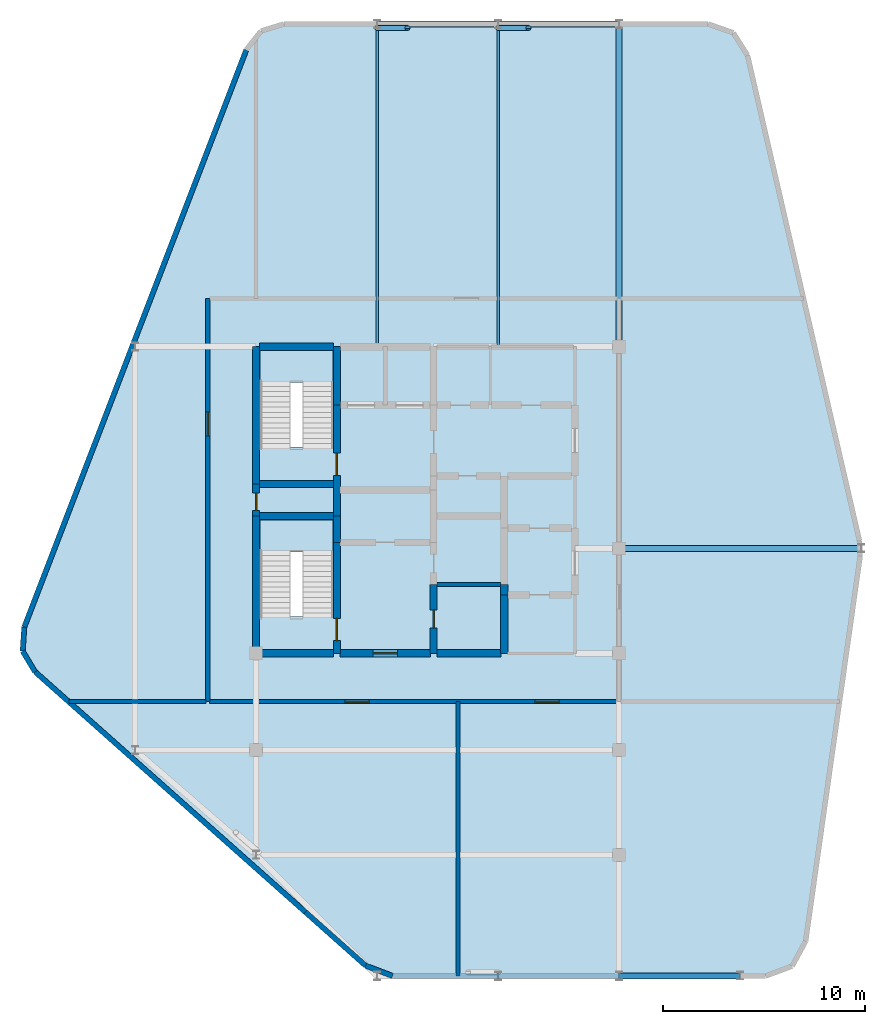
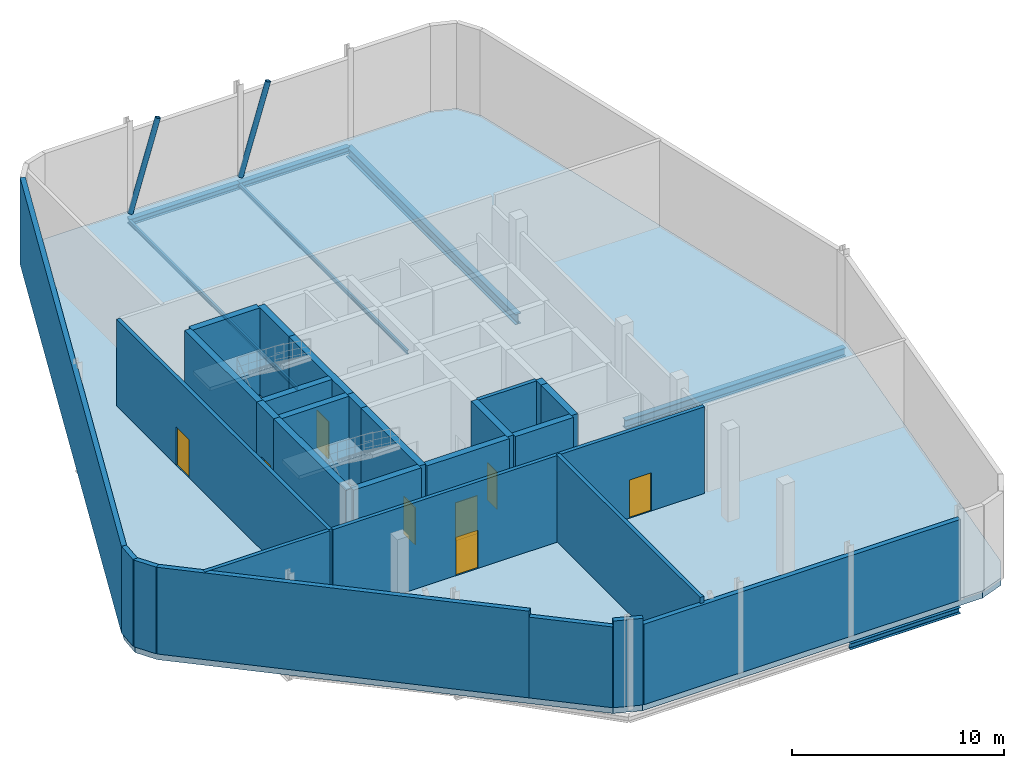
# One storey, part 3 of 6: 28 walls, 8 doors, 7 beams, 3 slabs, 2 members, 8 openings, 2 elements without a shape of their own.
"""IFC4 building model written with IfcOpenShell, lengths in metres."""

from ifc_helpers import new_model, si_unit, direction, frame, frame_2d, origin, origin_2d, place, context, subcontext, project, spatial, polyline, rectangle, hollow_circle, i_section, outline, extrude, material, layer, layer_set, material_profile, profile_set, type_object, element, fill, aggregate, save


model = new_model("IFC4")

# Units and contexts
model_context = context("Model", 3, precision=1e-05, world=origin(), true_north=direction((0.0, 1.0)))
body_context = subcontext(model_context, "Body", "Model", "MODEL_VIEW")
ifc_project = project(units=[si_unit("LENGTHUNIT", "METRE"), si_unit("AREAUNIT", "SQUARE_METRE"), si_unit("VOLUMEUNIT", "CUBIC_METRE"), si_unit("PLANEANGLEUNIT", "RADIAN"), si_unit("MASSUNIT", "GRAM", prefix="KILO")], contexts=[model_context])

# Site, building, storey
site_placement = place(None, origin())
site = spatial("IfcSite", under=ifc_project, at=site_placement, CompositionType="ELEMENT")
building_placement = place(site_placement, origin())
building = spatial("IfcBuilding", under=site, at=building_placement, Name="Keshet Zoharim Tower", CompositionType="ELEMENT")
storey_placement = place(building_placement, frame((0.0, 0.0, 314.699951171875)))
storey = spatial("IfcBuildingStorey", under=building, at=storey_placement, Name="L79", CompositionType="ELEMENT", Elevation=314.699951171875)

# Beams
ifc_material_1 = material(Name="Steel S355", Category="steel")
ifc_material_profile_1 = material_profile(ifc_material_1, i_section(OverallWidth=0.1201171875, OverallDepth=0.239990234375, WebThickness=0.006103515625, FlangeThickness=0.009765625, FilletRadius=0.014892578125, at=origin_2d()), Name="IPE240")
ifc_profile_set_1 = profile_set([ifc_material_profile_1], Name="Steel S355")
beam_type_1 = type_object("IfcBeamType", Name="BM-JST-IP240", PredefinedType="JOIST", material=ifc_profile_set_1)
for number, where, z_axis, x_axis, name in (
    (1, (21.0, 37.89990234375, -0.5400390625), (0.0, 1.0, 0.0), (-1.0, 0.0, 0.0), "L79 Secondary Floor Joist J-001"),
    (2, (27.0, 37.89990234375, -0.5400390625), (0.0, 1.0, 0.0), (-1.0, 0.0, 0.0), "L79 Secondary Floor Joist J-002"),
):
    element("IfcBeam", number, at=place(storey_placement, frame(where, z_axis=z_axis, x_axis=x_axis)), inside=storey, type_object=beam_type_1, Name=name, PredefinedType="JOIST", context=body_context, shape_type="SweptSolid", body=[
        extrude(i_section(OverallWidth=0.1201171875, OverallDepth=0.239990234375, WebThickness=0.006103515625, FlangeThickness=0.009765625, FilletRadius=0.014892578125, at=origin_2d()), origin(), (0.0, 0.0, 1.0), 16.0),
    ])
ifc_material_profile_2 = material_profile(ifc_material_1, i_section(OverallWidth=0.300048828125, OverallDepth=0.60009765625, WebThickness=0.015380859375, FlangeThickness=0.030029296875, FilletRadius=0.027099609375, at=origin_2d()), Name="HEB600")
ifc_profile_set_2 = profile_set([ifc_material_profile_2], Name="Steel S355")
beam_type_2 = type_object("IfcBeamType", Name="BM-LNG-HB600", PredefinedType="BEAM", material=ifc_profile_set_2)
beam_1_placement = place(storey_placement, frame((33.0, 37.89990234375, -0.719970703125), z_axis=(0.0, 1.0, 0.0), x_axis=(-1.0, 0.0, 0.0)))
element("IfcBeam", 3, at=beam_1_placement, inside=storey, type_object=beam_type_2, Name="L79 Primary Girder Y-009", PredefinedType="BEAM", context=body_context, shape_type="SweptSolid", body=[
    extrude(i_section(OverallWidth=0.300048828125, OverallDepth=0.60009765625, WebThickness=0.015380859375, FlangeThickness=0.030029296875, FilletRadius=0.027099609375, at=origin_2d()), origin(), (0.0, 0.0, 1.0), 16.0),
])
ifc_material_profile_3 = material_profile(ifc_material_1, i_section(OverallWidth=0.300048828125, OverallDepth=0.5, WebThickness=0.014404296875, FlangeThickness=0.028076171875, FilletRadius=0.027099609375, at=origin_2d()), Name="HEB500")
ifc_profile_set_3 = profile_set([ifc_material_profile_3], Name="Steel S355")
beam_type_3 = type_object("IfcBeamType", Name="BM-MED-HB500", PredefinedType="BEAM", material=ifc_profile_set_3)
beam_2_placement = place(storey_placement, frame((33.0, 27.89990234375, -0.669921875), z_axis=(1.0, 0.0, 0.0), x_axis=(0.0, 1.0, 0.0)))
element("IfcBeam", 4, at=beam_2_placement, inside=storey, type_object=beam_type_3, Name="L79 Primary Girder X-007", PredefinedType="BEAM", context=body_context, shape_type="SweptSolid", body=[
    extrude(i_section(OverallWidth=0.300048828125, OverallDepth=0.5, WebThickness=0.014404296875, FlangeThickness=0.028076171875, FilletRadius=0.027099609375, at=origin_2d()), origin(), (0.0, 0.0, 1.0), 12.0),
])
ifc_material_profile_4 = material_profile(ifc_material_1, i_section(OverallWidth=0.300048828125, OverallDepth=0.35009765625, WebThickness=0.010009765625, FlangeThickness=0.017578125, FilletRadius=0.027099609375, at=origin_2d()), Name="HEA360")
ifc_profile_set_4 = profile_set([ifc_material_profile_4], Name="Steel S355")
beam_type_4 = type_object("IfcBeamType", Name="BM-PRI-HA360", PredefinedType="BEAM", material=ifc_profile_set_4)
for number, where, z_axis, x_axis, name in (
    (5, (33.0, 6.699951171875, -0.594970703125), (1.0, 0.0, 0.0), (0.0, 1.0, 0.0), "L79 Primary Girder X-003"),
    (6, (21.0, 53.89990234375, -0.594970703125), (1.0, 0.0, 0.0), (0.0, 1.0, 0.0), "L79 Primary Girder X-010"),
    (7, (27.0, 53.89990234375, -0.594970703125), (1.0, 0.0, 0.0), (0.0, 1.0, 0.0), "L79 Primary Girder X-011"),
):
    element("IfcBeam", number, at=place(storey_placement, frame(where, z_axis=z_axis, x_axis=x_axis)), inside=storey, type_object=beam_type_4, Name=name, PredefinedType="BEAM", context=body_context, shape_type="SweptSolid", body=[
        extrude(i_section(OverallWidth=0.300048828125, OverallDepth=0.35009765625, WebThickness=0.010009765625, FlangeThickness=0.017578125, FilletRadius=0.027099609375, at=origin_2d()), origin(), (0.0, 0.0, 1.0), 6.0),
    ])

# Members
ifc_material_profile_5 = material_profile(ifc_material_1, hollow_circle(Radius=0.136474609375, WallThickness=0.010009765625, at=origin_2d()), Name="CHS273x10")
ifc_profile_set_5 = profile_set([ifc_material_profile_5], Name="Steel S355")
member_type = type_object("IfcMemberType", Name="MB-BR-C273", PredefinedType="BRACE", material=ifc_profile_set_5)
for number, where, z_axis, x_axis, name in (
    (8, (21.0, 53.7099609375, 0.0), (0.287876571513, 0.0, 0.957667520371), (0.0, 1.0, 0.0), "L79 Perimeter Tube Brace 03"),
    (9, (27.0, 53.7099609375, 0.0), (0.287876571513, 0.0, 0.957667520371), (0.0, 1.0, 0.0), "L79 Perimeter Tube Brace 04"),
):
    element("IfcMember", number, at=place(storey_placement, frame(where, z_axis=z_axis, x_axis=x_axis)), inside=storey, type_object=member_type, Name=name, PredefinedType="BRACE", context=body_context, shape_type="SweptSolid", body=[
        extrude(hollow_circle(Radius=0.136474609375, WallThickness=0.010009765625, at=origin_2d()), origin(), (0.0, 0.0, 1.0), 5.21044921875),
    ])

# Stair, slab
ifc_material_2 = material(Name="Concrete C50/60", Category="concrete")
stair_type = type_object("IfcStairType", Name="STR-EXIT-135", PredefinedType="HALF_TURN_STAIR", material=ifc_material_2)
stair_1_placement = place(storey_placement, origin())
stair_1 = element("IfcStair", 10, at=stair_1_placement, inside=storey, type_object=stair_type, Name="L79 Enclosed Exit Stair ST-01", PredefinedType="HALF_TURN_STAIR")
ifc_layer_1 = layer(ifc_material_2, 0.199951171875)
ifc_layer_set_1 = layer_set([ifc_layer_1], Name="Concrete C50/60")
slab_type_1 = type_object("IfcSlabType", Name="SLB-LND-200", PredefinedType="LANDING", material=ifc_layer_set_1)
slab_1_placement = place(storey_placement, frame((0.0, 0.0, 2.449951171875)))
slab_1 = element("IfcSlab", 11, at=slab_1_placement, type_object=slab_type_1, Name="ST-01 landing 1", PredefinedType="LANDING", context=body_context, shape_type="SweptSolid", body=[
    extrude(outline(polyline([(15.179931640625, 27.714111328125), (18.820068359375, 27.714111328125), (18.820068359375, 29.320068359375), (15.179931640625, 29.320068359375), (15.179931640625, 27.714111328125)])), origin(), (0.0, 0.0, 1.0), 0.2001953125),
])
aggregate(stair_1, [slab_1])

stair_2_placement = place(storey_placement, origin())
stair_2 = element("IfcStair", 12, at=stair_2_placement, inside=storey, type_object=stair_type, Name="L79 Enclosed Exit Stair ST-02", PredefinedType="HALF_TURN_STAIR")
slab_2_placement = place(storey_placement, frame((0.0, 0.0, 2.449951171875)))
slab_2 = element("IfcSlab", 13, at=slab_2_placement, type_object=slab_type_1, Name="ST-02 landing 1", PredefinedType="LANDING", context=body_context, shape_type="SweptSolid", body=[
    extrude(outline(polyline([(15.179931640625, 36.114013671875), (18.820068359375, 36.114013671875), (18.820068359375, 37.719970703125), (15.179931640625, 37.719970703125), (15.179931640625, 36.114013671875)])), origin(), (0.0, 0.0, 1.0), 0.2001953125),
])
aggregate(stair_2, [slab_2])

# Slab
ifc_material_3 = material(Name="Concrete C60/75", Category="concrete")
ifc_layer_2 = layer(ifc_material_3, 0.419921875)
ifc_layer_set_2 = layer_set([ifc_layer_2], Name="Concrete C60/75")
slab_type_2 = type_object("IfcSlabType", Name="SLB-XFER-350", PredefinedType="FLOOR", material=ifc_layer_set_2)
slab_3_placement = place(storey_placement, frame((0.0, 0.0, -0.419921875)))
element("IfcSlab", 14, at=slab_3_placement, inside=storey, type_object=slab_type_2, Name="L79 Structural Floor Slab 1", PredefinedType="FLOOR", context=body_context, shape_type="SweptSolid", body=[
    extrude(outline(polyline([(4.034912109375, 21.780029296875), (3.419921875, 22.802001953125), (3.4970703125, 23.992919921875), (14.507080078125, 52.617919921875), (15.240966796875, 53.549072265625), (16.3740234375, 53.89990234375), (37.408935546875, 53.89990234375), (38.654052734375, 53.465087890625), (39.35791015625, 52.35009765625), (44.916015625, 28.261962890625), (44.947998046875, 27.531982421875), (42.242919921875, 8.419921875), (41.573974609375, 7.18994140625), (40.262939453125, 6.699951171875), (21.760009765625, 6.699951171875), (20.431884765625, 7.205078125), (4.034912109375, 21.780029296875)]), holes=[polyline([(15.179931640625, 24.52001953125), (18.820068359375, 24.52001953125), (18.820068359375, 29.320068359375), (15.179931640625, 29.320068359375), (15.179931640625, 24.52001953125)]), polyline([(15.179931640625, 32.919921875), (18.820068359375, 32.919921875), (18.820068359375, 37.719970703125), (15.179931640625, 37.719970703125), (15.179931640625, 32.919921875)])]), origin(), (0.0, 0.0, 1.0), 0.419921875),
])

# Wall
ifc_layer_3 = layer(ifc_material_3, 0.35009765625)
ifc_layer_set_3 = layer_set([ifc_layer_3], Name="Concrete C60/75")
wall_type_1 = type_object("IfcWallType", Name="WL-CORE-350", PredefinedType="SHEAR", material=ifc_layer_set_3)
wall_1_placement = place(storey_placement, frame((15.0, 22.699951171875, 0.0), z_axis=(0.0, 0.0, 1.0), x_axis=(0.0, 1.0, 0.0)))
element("IfcWall", 15, at=wall_1_placement, inside=storey, type_object=wall_type_1, Name="L79 Core Shear Wall 002", PredefinedType="SHEAR", context=body_context, shape_type="SweptSolid", body=[
    extrude(rectangle(XDim=6.800048828125, YDim=0.35009765625, at=frame_2d((3.39990234375, 0.0))), origin(), (0.0, 0.0, 1.0), 4.989990234375),
])

# Wall, opening, door
wall_2_placement = place(storey_placement, frame((15.0, 29.5, 0.0), z_axis=(0.0, 0.0, 1.0), x_axis=(0.0, 1.0, 0.0)))
wall_2 = element("IfcWall", 16, at=wall_2_placement, inside=storey, type_object=wall_type_1, Name="L79 Core Shear Wall 003", PredefinedType="SHEAR", context=body_context, shape_type="SweptSolid", body=[
    extrude(rectangle(XDim=1.60009765625, YDim=0.35009765625, at=frame_2d((0.800048828125, 0.0))), origin(), (0.0, 0.0, 1.0), 4.989990234375),
])
opening_1_placement = place(wall_2_placement, frame((0.287109375, 0.0, 0.0)))
opening_1 = element("IfcOpeningElement", 17, at=opening_1_placement, cuts=wall_2, Name="Opening D-RS85", PredefinedType="OPENING", context=body_context, shape_type="SweptSolid", body=[
    extrude(rectangle(XDim=0.85009765625, YDim=2.10009765625, at=frame_2d((0.425048828125, 1.050048828125))), frame((0.0, 0.18505859375, 0.0), z_axis=(0.0, -1.0, 0.0), x_axis=(1.0, 0.0, 0.0)), (0.0, 0.0, 1.0), 0.3701171875),
])
ifc_material_4 = material(Name="Hardwood Timber", Category="wood")
door_type_1 = type_object("IfcDoorType", Name="DR-RIS-085", OperationType="NOTDEFINED", PredefinedType="DOOR", material=ifc_material_4)
door_1_placement = place(opening_1_placement, origin())
door_1 = element("IfcDoor", 18, at=door_1_placement, inside=storey, type_object=door_type_1, Name="L79 Electrical Riser Access Cupboard Door", OperationType="SINGLE_SWING_LEFT", OverallHeight=2.10009765625, OverallWidth=0.85009765625, PredefinedType="DOOR", context=body_context, shape_type="SweptSolid", body=[
    extrude(rectangle(XDim=0.85009765625, YDim=2.10009765625, at=frame_2d((0.425048828125, 1.050048828125))), frame((0.0, 0.02490234375, 0.0), z_axis=(0.0, -1.0, 0.0), x_axis=(1.0, 0.0, 0.0)), (0.0, 0.0, 1.0), 0.050048828125),
])
fill(opening_1, door_1)

# Wall
wall_3_placement = place(storey_placement, frame((15.0, 31.10009765625, 0.0), z_axis=(0.0, 0.0, 1.0), x_axis=(0.0, 1.0, 0.0)))
element("IfcWall", 19, at=wall_3_placement, inside=storey, type_object=wall_type_1, Name="L79 Core Shear Wall 004", PredefinedType="SHEAR", context=body_context, shape_type="SweptSolid", body=[
    extrude(rectangle(XDim=6.7998046875, YDim=0.35009765625, at=frame_2d((3.39990234375, 0.0))), origin(), (0.0, 0.0, 1.0), 4.989990234375),
])

# Wall, opening, door
wall_4_placement = place(storey_placement, frame((19.0, 22.699951171875, 0.0), z_axis=(0.0, 0.0, 1.0), x_axis=(0.0, 1.0, 0.0)))
wall_4 = element("IfcWall", 20, at=wall_4_placement, inside=storey, type_object=wall_type_1, Name="L79 Core Shear Wall 006", PredefinedType="SHEAR", context=body_context, shape_type="SweptSolid", body=[
    extrude(rectangle(XDim=5.5, YDim=0.35009765625, at=frame_2d((2.75, 0.0))), origin(), (0.0, 0.0, 1.0), 4.989990234375),
])
opening_2_placement = place(wall_4_placement, frame((0.631103515625, 0.0, 0.0)))
opening_2 = element("IfcOpeningElement", 21, at=opening_2_placement, cuts=wall_4, Name="Opening D-F611", PredefinedType="OPENING", context=body_context, shape_type="SweptSolid", body=[
    extrude(rectangle(XDim=1.10009765625, YDim=2.14990234375, at=frame_2d((0.550048828125, 1.074951171875))), frame((0.0, 0.18505859375, 0.0), z_axis=(0.0, -1.0, 0.0), x_axis=(1.0, 0.0, 0.0)), (0.0, 0.0, 1.0), 0.3701171875),
])
door_type_2 = type_object("IfcDoorType", Name="DR-FD60-110", OperationType="NOTDEFINED", PredefinedType="DOOR", material=ifc_material_4)
door_2_placement = place(opening_2_placement, origin())
door_2 = element("IfcDoor", 22, at=door_2_placement, inside=storey, type_object=door_type_2, Name="L79 Exit Stair ST-01 Fire Door", OperationType="SINGLE_SWING_RIGHT", OverallHeight=2.14990234375, OverallWidth=1.10009765625, PredefinedType="DOOR", context=body_context, shape_type="SweptSolid", body=[
    extrude(rectangle(XDim=1.10009765625, YDim=2.14990234375, at=frame_2d((0.550048828125, 1.074951171875))), frame((0.0, 0.02490234375, 0.0), z_axis=(0.0, -1.0, 0.0), x_axis=(1.0, 0.0, 0.0)), (0.0, 0.0, 1.0), 0.050048828125),
])
fill(opening_2, door_2)

# Wall
wall_5_placement = place(storey_placement, frame((19.0, 28.199951171875, 0.0), z_axis=(0.0, 0.0, 1.0), x_axis=(0.0, 1.0, 0.0)))
element("IfcWall", 23, at=wall_5_placement, inside=storey, type_object=wall_type_1, Name="L79 Core Shear Wall 007", PredefinedType="SHEAR", context=body_context, shape_type="SweptSolid", body=[
    extrude(rectangle(XDim=1.300048828125, YDim=0.35009765625, at=frame_2d((0.64990234375, 0.0))), origin(), (0.0, 0.0, 1.0), 4.989990234375),
])

# Wall, opening, door
wall_6_placement = place(storey_placement, frame((19.0, 29.5, 0.0), z_axis=(0.0, 0.0, 1.0), x_axis=(0.0, 1.0, 0.0)))
wall_6 = element("IfcWall", 24, at=wall_6_placement, inside=storey, type_object=wall_type_1, Name="L79 Core Shear Wall 008", PredefinedType="SHEAR", context=body_context, shape_type="SweptSolid", body=[
    extrude(rectangle(XDim=5.5, YDim=0.35009765625, at=frame_2d((2.75, 0.0))), origin(), (0.0, 0.0, 1.0), 4.989990234375),
])
opening_3_placement = place(wall_6_placement, frame((2.02490234375, 0.0, 0.0)))
opening_3 = element("IfcOpeningElement", 25, at=opening_3_placement, cuts=wall_6, Name="Opening D-F611", PredefinedType="OPENING", context=body_context, shape_type="SweptSolid", body=[
    extrude(rectangle(XDim=1.10009765625, YDim=2.14990234375, at=frame_2d((0.550048828125, 1.074951171875))), frame((0.0, 0.18505859375, 0.0), z_axis=(0.0, -1.0, 0.0), x_axis=(1.0, 0.0, 0.0)), (0.0, 0.0, 1.0), 0.3701171875),
])
door_3_placement = place(opening_3_placement, origin())
door_3 = element("IfcDoor", 26, at=door_3_placement, inside=storey, type_object=door_type_2, Name="L79 Exit Stair ST-02 Fire Door", OperationType="SINGLE_SWING_LEFT", OverallHeight=2.14990234375, OverallWidth=1.10009765625, PredefinedType="DOOR", context=body_context, shape_type="SweptSolid", body=[
    extrude(rectangle(XDim=1.10009765625, YDim=2.14990234375, at=frame_2d((0.550048828125, 1.074951171875))), frame((0.0, 0.02490234375, 0.0), z_axis=(0.0, -1.0, 0.0), x_axis=(1.0, 0.0, 0.0)), (0.0, 0.0, 1.0), 0.050048828125),
])
fill(opening_3, door_3)

# Wall
wall_7_placement = place(storey_placement, frame((19.0, 35.0, 0.0), z_axis=(0.0, 0.0, 1.0), x_axis=(0.0, 1.0, 0.0)))
element("IfcWall", 27, at=wall_7_placement, inside=storey, type_object=wall_type_1, Name="L79 Core Shear Wall 009", PredefinedType="SHEAR", context=body_context, shape_type="SweptSolid", body=[
    extrude(rectangle(XDim=2.89990234375, YDim=0.35009765625, at=frame_2d((1.449951171875, 0.0))), origin(), (0.0, 0.0, 1.0), 4.989990234375),
])

# Wall, opening, door
wall_8_placement = place(storey_placement, frame((23.800048828125, 22.699951171875, 0.0), z_axis=(0.0, 0.0, 1.0), x_axis=(0.0, 1.0, 0.0)))
wall_8 = element("IfcWall", 28, at=wall_8_placement, inside=storey, type_object=wall_type_1, Name="L79 Core Shear Wall 011", PredefinedType="SHEAR", context=body_context, shape_type="SweptSolid", body=[
    extrude(rectangle(XDim=3.400146484375, YDim=0.35009765625, at=frame_2d((1.7001953125, 0.0))), origin(), (0.0, 0.0, 1.0), 4.989990234375),
])
opening_4_placement = place(wall_8_placement, frame((1.25, 0.0, 0.0)))
opening_4 = element("IfcOpeningElement", 29, at=opening_4_placement, cuts=wall_8, Name="Opening D-F690", PredefinedType="OPENING", context=body_context, shape_type="SweptSolid", body=[
    extrude(rectangle(XDim=0.89990234375, YDim=2.14990234375, at=frame_2d((0.449951171875, 1.074951171875))), frame((0.0, 0.18505859375, 0.0), z_axis=(0.0, -1.0, 0.0), x_axis=(1.0, 0.0, 0.0)), (0.0, 0.0, 1.0), 0.3701171875),
])
door_type_3 = type_object("IfcDoorType", Name="DR-FD60-090", OperationType="NOTDEFINED", PredefinedType="DOOR", material=ifc_material_4)
door_4_placement = place(opening_4_placement, origin())
door_4 = element("IfcDoor", 30, at=door_4_placement, inside=storey, type_object=door_type_3, Name="L79 Core Linen Store Door", OperationType="SINGLE_SWING_RIGHT", OverallHeight=2.14990234375, OverallWidth=0.89990234375, PredefinedType="DOOR", context=body_context, shape_type="SweptSolid", body=[
    extrude(rectangle(XDim=0.89990234375, YDim=2.14990234375, at=frame_2d((0.449951171875, 1.074951171875))), frame((0.0, 0.02490234375, 0.0), z_axis=(0.0, -1.0, 0.0), x_axis=(1.0, 0.0, 0.0)), (0.0, 0.0, 1.0), 0.050048828125),
])
fill(opening_4, door_4)

# Walls
wall_9_placement = place(storey_placement, frame((27.300048828125, 22.699951171875, 0.0), z_axis=(0.0, 0.0, 1.0), x_axis=(0.0, 1.0, 0.0)))
element("IfcWall", 31, at=wall_9_placement, inside=storey, type_object=wall_type_1, Name="L79 Core Shear Wall 019", PredefinedType="SHEAR", context=body_context, shape_type="SweptSolid", body=[
    extrude(rectangle(XDim=2.900146484375, YDim=0.35009765625, at=frame_2d((1.4501953125, 0.0))), origin(), (0.0, 0.0, 1.0), 4.989990234375),
])
wall_10_placement = place(storey_placement, frame((27.300048828125, 25.60009765625, 0.0), z_axis=(0.0, 0.0, 1.0), x_axis=(0.0, 1.0, 0.0)))
element("IfcWall", 32, at=wall_10_placement, inside=storey, type_object=wall_type_1, Name="L79 Core Shear Wall 020", PredefinedType="SHEAR", context=body_context, shape_type="SweptSolid", body=[
    extrude(rectangle(XDim=0.5, YDim=0.35009765625, at=frame_2d((0.25, 0.0))), origin(), (0.0, 0.0, 1.0), 4.989990234375),
])
wall_11_placement = place(storey_placement, frame((15.159912109375, 22.699951171875, 0.0), z_axis=(0.0, 0.0, 1.0), x_axis=(1.0, 0.0, 0.0)))
element("IfcWall", 33, at=wall_11_placement, inside=storey, type_object=wall_type_1, Name="L79 Core Shear Wall 032", PredefinedType="SHEAR", context=body_context, shape_type="SweptSolid", body=[
    extrude(rectangle(XDim=3.68017578125, YDim=0.35009765625, at=frame_2d((1.840087890625, 0.0))), origin(), (0.0, 0.0, 1.0), 4.989990234375),
])

# Wall, opening, door
wall_12_placement = place(storey_placement, frame((19.159912109375, 22.699951171875, 0.0), z_axis=(0.0, 0.0, 1.0), x_axis=(1.0, 0.0, 0.0)))
wall_12 = element("IfcWall", 34, at=wall_12_placement, inside=storey, type_object=wall_type_1, Name="L79 Core Shear Wall 033", PredefinedType="SHEAR", context=body_context, shape_type="SweptSolid", body=[
    extrude(rectangle(XDim=4.47998046875, YDim=0.35009765625, at=frame_2d((2.239990234375, 0.0))), origin(), (0.0, 0.0, 1.0), 4.989990234375),
])
opening_5_placement = place(wall_12_placement, frame((1.639892578125, 0.0, 0.0)))
opening_5 = element("IfcOpeningElement", 35, at=opening_5_placement, cuts=wall_12, Name="Opening D-F612", PredefinedType="OPENING", context=body_context, shape_type="SweptSolid", body=[
    extrude(rectangle(XDim=1.199951171875, YDim=2.199951171875, at=frame_2d((0.60009765625, 1.10009765625))), frame((0.0, 0.18505859375, 0.0), z_axis=(0.0, -1.0, 0.0), x_axis=(1.0, 0.0, 0.0)), (0.0, 0.0, 1.0), 0.3701171875),
])
door_type_4 = type_object("IfcDoorType", Name="DR-FD60-120", OperationType="NOTDEFINED", PredefinedType="DOOR", material=ifc_material_4)
door_5_placement = place(opening_5_placement, origin())
door_5 = element("IfcDoor", 36, at=door_5_placement, inside=storey, type_object=door_type_4, Name="L79 South Core Lobby Fire Door", OperationType="SINGLE_SWING_RIGHT", OverallHeight=2.199951171875, OverallWidth=1.199951171875, PredefinedType="DOOR", context=body_context, shape_type="SweptSolid", body=[
    extrude(rectangle(XDim=1.199951171875, YDim=2.199951171875, at=frame_2d((0.60009765625, 1.10009765625))), frame((0.0, 0.02490234375, 0.0), z_axis=(0.0, -1.0, 0.0), x_axis=(1.0, 0.0, 0.0)), (0.0, 0.0, 1.0), 0.050048828125),
])
fill(opening_5, door_5)

# Walls
wall_13_placement = place(storey_placement, frame((23.9599609375, 22.699951171875, 0.0), z_axis=(0.0, 0.0, 1.0), x_axis=(1.0, 0.0, 0.0)))
element("IfcWall", 37, at=wall_13_placement, inside=storey, type_object=wall_type_1, Name="L79 Core Shear Wall 034", PredefinedType="SHEAR", context=body_context, shape_type="SweptSolid", body=[
    extrude(rectangle(XDim=3.179931640625, YDim=0.35009765625, at=frame_2d((1.58984375, 0.0))), origin(), (0.0, 0.0, 1.0), 4.989990234375),
])
for number, where, z_axis, x_axis, name in (
    (38, (15.159912109375, 29.5, 0.0), (0.0, 0.0, 1.0), (1.0, 0.0, 0.0), "L79 Core Shear Wall 040"),
    (39, (15.159912109375, 31.10009765625, 0.0), (0.0, 0.0, 1.0), (1.0, 0.0, 0.0), "L79 Core Shear Wall 043"),
    (40, (15.159912109375, 37.89990234375, 0.0), (0.0, 0.0, 1.0), (1.0, 0.0, 0.0), "L79 Core Shear Wall 049"),
):
    element("IfcWall", number, at=place(storey_placement, frame(where, z_axis=z_axis, x_axis=x_axis)), inside=storey, type_object=wall_type_1, Name=name, PredefinedType="SHEAR", context=body_context, shape_type="SweptSolid", body=[
        extrude(rectangle(XDim=3.68017578125, YDim=0.35009765625, at=frame_2d((1.840087890625, 0.0))), origin(), (0.0, 0.0, 1.0), 4.989990234375),
    ])
ifc_material_5 = material(Name="Concrete C50/60 precast", Category="concrete")
ifc_layer_4 = layer(ifc_material_5, 0.260009765625)
ifc_layer_set_4 = layer_set([ifc_layer_4], Name="Concrete C50/60 precast")
wall_type_2 = type_object("IfcWallType", Name="WL-EXT-260", PredefinedType="STANDARD", material=ifc_layer_set_4)
wall_14_placement = place(storey_placement, frame((4.034912109375, 21.780029296875, 0.0), z_axis=(0.0, 0.0, 1.0), x_axis=(-0.51560906497, 0.856823956318, 0.0)))
element("IfcWall", 41, at=wall_14_placement, inside=storey, type_object=wall_type_2, Name="L79 Exterior Facade Wall 01", PredefinedType="STANDARD", context=body_context, shape_type="SweptSolid", body=[
    extrude(rectangle(XDim=1.192626953125, YDim=0.260009765625, at=frame_2d((0.59619140625, 0.0))), origin(), (0.0, 0.0, 1.0), 4.989990234375),
])
wall_15_placement = place(storey_placement, frame((3.419921875, 22.802001953125, 0.0), z_axis=(0.0, 0.0, 1.0), x_axis=(0.064645147091, 0.997908314906, 0.0)))
element("IfcWall", 42, at=wall_15_placement, inside=storey, type_object=wall_type_2, Name="L79 Exterior Facade Wall 02", PredefinedType="STANDARD", context=body_context, shape_type="SweptSolid", body=[
    extrude(rectangle(XDim=1.193359375, YDim=0.260009765625, at=frame_2d((0.5966796875, 0.0))), origin(), (0.0, 0.0, 1.0), 4.989990234375),
])
wall_16_placement = place(storey_placement, frame((3.4970703125, 23.992919921875, 0.0), z_axis=(0.0, 0.0, 1.0), x_axis=(0.358990281293, 0.93334129767, 0.0)))
element("IfcWall", 43, at=wall_16_placement, inside=storey, type_object=wall_type_2, Name="L79 Exterior Facade Wall 03", PredefinedType="STANDARD", context=body_context, shape_type="SweptSolid", body=[
    extrude(rectangle(XDim=30.66943359375, YDim=0.260009765625, at=frame_2d((15.334716796875, 0.0))), origin(), (0.0, 0.0, 1.0), 4.989990234375),
])
wall_17_placement = place(storey_placement, frame((21.760009765625, 6.699951171875, 0.0), z_axis=(0.0, 0.0, 1.0), x_axis=(-0.934680848086, 0.355487991671, 0.0)))
element("IfcWall", 44, at=wall_17_placement, inside=storey, type_object=wall_type_2, Name="L79 Exterior Facade Wall 15", PredefinedType="STANDARD", context=body_context, shape_type="SweptSolid", body=[
    extrude(rectangle(XDim=1.4208984375, YDim=0.260009765625, at=frame_2d((0.71044921875, 0.0))), origin(), (0.0, 0.0, 1.0), 4.989990234375),
])
wall_18_placement = place(storey_placement, frame((20.431884765625, 7.205078125, 0.0), z_axis=(0.0, 0.0, 1.0), x_axis=(-0.747395867011, 0.664378971654, 0.0)))
element("IfcWall", 45, at=wall_18_placement, inside=storey, type_object=wall_type_2, Name="L79 Exterior Facade Wall 16", PredefinedType="STANDARD", context=body_context, shape_type="SweptSolid", body=[
    extrude(rectangle(XDim=4.00537109375, YDim=0.260009765625, at=frame_2d((2.002685546875, 0.0))), origin(), (0.0, 0.0, 1.0), 4.650146484375),
])
wall_19_placement = place(storey_placement, frame((39.0, 6.699951171875, 0.0), z_axis=(0.0, 0.0, 1.0), x_axis=(-1.0, 0.0, 0.0)))
element("IfcWall", 46, at=wall_19_placement, inside=storey, type_object=wall_type_2, Name="L79 Exterior Facade Wall 14 Part 2", PredefinedType="STANDARD", context=body_context, shape_type="SweptSolid", body=[
    extrude(rectangle(XDim=17.239990234375, YDim=0.260009765625, at=frame_2d((8.6201171875, 0.0))), origin(), (0.0, 0.0, 1.0), 4.64013671875),
])
wall_20_placement = place(storey_placement, frame((17.438232421875, 9.8662109375, 0.0), z_axis=(0.0, 0.0, 1.0), x_axis=(-0.747416078768, 0.664356233657, 0.0)))
element("IfcWall", 47, at=wall_20_placement, inside=storey, type_object=wall_type_2, Name="L79 Exterior Facade Wall 16 Part 2", PredefinedType="STANDARD", context=body_context, shape_type="SweptSolid", body=[
    extrude(rectangle(XDim=17.932861328125, YDim=0.260009765625, at=frame_2d((8.96630859375, 0.0))), origin(), (0.0, 0.0, 1.0), 4.989990234375),
])

# Wall, opening, door
ifc_layer_5 = layer(ifc_material_2, 0.199951171875)
ifc_layer_set_5 = layer_set([ifc_layer_5], Name="Concrete C50/60")
wall_type_3 = type_object("IfcWallType", Name="WL-FIRE-200", PredefinedType="STANDARD", material=ifc_layer_set_5)
wall_21_placement = place(storey_placement, frame((12.60009765625, 20.300048828125, 0.0), z_axis=(0.0, 0.0, 1.0), x_axis=(0.0, 1.0, 0.0)))
wall_21 = element("IfcWall", 48, at=wall_21_placement, inside=storey, type_object=wall_type_3, Name="L79 Interior Wall 001", PredefinedType="STANDARD", context=body_context, shape_type="SweptSolid", body=[
    extrude(rectangle(XDim=20.0, YDim=0.199951171875, at=frame_2d((10.0, 0.0))), origin(), (0.0, 0.0, 1.0), 4.989990234375),
])
opening_6_placement = place(wall_21_placement, frame((13.175048828125, 0.0, 0.0)))
opening_6 = element("IfcOpeningElement", 49, at=opening_6_placement, cuts=wall_21, Name="Opening D-F612", PredefinedType="OPENING", context=body_context, shape_type="SweptSolid", body=[
    extrude(rectangle(XDim=1.199951171875, YDim=2.199951171875, at=frame_2d((0.60009765625, 1.10009765625))), frame((0.0, 0.10986328125, 0.0), z_axis=(0.0, -1.0, 0.0), x_axis=(1.0, 0.0, 0.0)), (0.0, 0.0, 1.0), 0.219970703125),
])
door_6_placement = place(opening_6_placement, origin())
door_6 = element("IfcDoor", 50, at=door_6_placement, inside=storey, type_object=door_type_4, Name="L79 Telecom and BMS Server Room Fire Door", OperationType="SINGLE_SWING_RIGHT", OverallHeight=2.199951171875, OverallWidth=1.199951171875, PredefinedType="DOOR", context=body_context, shape_type="SweptSolid", body=[
    extrude(rectangle(XDim=1.199951171875, YDim=2.199951171875, at=frame_2d((0.60009765625, 1.10009765625))), frame((0.0, 0.02490234375, 0.0), z_axis=(0.0, -1.0, 0.0), x_axis=(1.0, 0.0, 0.0)), (0.0, 0.0, 1.0), 0.050048828125),
])
fill(opening_6, door_6)

# Walls
wall_22_placement = place(storey_placement, frame((25.0, 6.7099609375, 0.0), z_axis=(0.0, 0.0, 1.0), x_axis=(0.0, 1.0, 0.0)))
element("IfcWall", 51, at=wall_22_placement, inside=storey, type_object=wall_type_3, Name="L79 Interior Wall 017", PredefinedType="STANDARD", context=body_context, shape_type="SweptSolid", body=[
    extrude(rectangle(XDim=13.590087890625, YDim=0.199951171875, at=frame_2d((6.794921875, 0.0))), origin(), (0.0, 0.0, 1.0), 4.989990234375),
])
wall_23_placement = place(storey_placement, frame((5.7099609375, 20.300048828125, 0.0), z_axis=(0.0, 0.0, 1.0), x_axis=(1.0, 0.0, 0.0)))
element("IfcWall", 52, at=wall_23_placement, inside=storey, type_object=wall_type_3, Name="L79 Interior Wall 029", PredefinedType="STANDARD", context=body_context, shape_type="SweptSolid", body=[
    extrude(rectangle(XDim=6.804931640625, YDim=0.199951171875, at=frame_2d((3.40234375, 0.0))), origin(), (0.0, 0.0, 1.0), 4.989990234375),
])

# Wall, openings, doors
wall_24_placement = place(storey_placement, frame((12.68505859375, 20.300048828125, 0.0), z_axis=(0.0, 0.0, 1.0), x_axis=(1.0, 0.0, 0.0)))
wall_24 = element("IfcWall", 53, at=wall_24_placement, inside=storey, type_object=wall_type_3, Name="L79 Interior Wall 030", PredefinedType="STANDARD", context=body_context, shape_type="SweptSolid", body=[
    extrude(rectangle(XDim=20.22998046875, YDim=0.199951171875, at=frame_2d((10.114990234375, 0.0))), origin(), (0.0, 0.0, 1.0), 4.989990234375),
])
opening_7_placement = place(wall_24_placement, frame((6.715087890625, 0.0, 0.0)))
opening_7 = element("IfcOpeningElement", 54, at=opening_7_placement, cuts=wall_24, Name="Opening D-F612", PredefinedType="OPENING", context=body_context, shape_type="SweptSolid", body=[
    extrude(rectangle(XDim=1.199951171875, YDim=2.199951171875, at=frame_2d((0.60009765625, 1.10009765625))), frame((0.0, 0.10986328125, 0.0), z_axis=(0.0, -1.0, 0.0), x_axis=(1.0, 0.0, 0.0)), (0.0, 0.0, 1.0), 0.219970703125),
])
opening_8_placement = place(wall_24_placement, frame((16.139892578125, 0.0, 0.0)))
opening_8 = element("IfcOpeningElement", 55, at=opening_8_placement, cuts=wall_24, Name="Opening D-F612", PredefinedType="OPENING", context=body_context, shape_type="SweptSolid", body=[
    extrude(rectangle(XDim=1.199951171875, YDim=2.199951171875, at=frame_2d((0.60009765625, 1.10009765625))), frame((0.0, 0.10986328125, 0.0), z_axis=(0.0, -1.0, 0.0), x_axis=(1.0, 0.0, 0.0)), (0.0, 0.0, 1.0), 0.219970703125),
])
door_7_placement = place(opening_7_placement, origin())
door_7 = element("IfcDoor", 56, at=door_7_placement, inside=storey, type_object=door_type_4, Name="L79 Electrical Switchgear Room Fire Door", OperationType="SINGLE_SWING_RIGHT", OverallHeight=2.199951171875, OverallWidth=1.199951171875, PredefinedType="DOOR", context=body_context, shape_type="SweptSolid", body=[
    extrude(rectangle(XDim=1.199951171875, YDim=2.199951171875, at=frame_2d((0.60009765625, 1.10009765625))), frame((0.0, 0.02490234375, 0.0), z_axis=(0.0, -1.0, 0.0), x_axis=(1.0, 0.0, 0.0)), (0.0, 0.0, 1.0), 0.050048828125),
])
fill(opening_7, door_7)
door_8_placement = place(opening_8_placement, origin())
door_8 = element("IfcDoor", 57, at=door_8_placement, inside=storey, type_object=door_type_4, Name="L79 Chiller and Cooling Pump Room Fire Door", OperationType="SINGLE_SWING_LEFT", OverallHeight=2.199951171875, OverallWidth=1.199951171875, PredefinedType="DOOR", context=body_context, shape_type="SweptSolid", body=[
    extrude(rectangle(XDim=1.199951171875, YDim=2.199951171875, at=frame_2d((0.60009765625, 1.10009765625))), frame((0.0, 0.02490234375, 0.0), z_axis=(0.0, -1.0, 0.0), x_axis=(1.0, 0.0, 0.0)), (0.0, 0.0, 1.0), 0.050048828125),
])
fill(opening_8, door_8)

# Wall
wall_25_placement = place(storey_placement, frame((23.9599609375, 26.10009765625, 0.0), z_axis=(0.0, 0.0, 1.0), x_axis=(1.0, 0.0, 0.0)))
element("IfcWall", 58, at=wall_25_placement, inside=storey, type_object=wall_type_3, Name="L79 Interior Wall 037", PredefinedType="STANDARD", context=body_context, shape_type="SweptSolid", body=[
    extrude(rectangle(XDim=3.179931640625, YDim=0.199951171875, at=frame_2d((1.58984375, 0.0))), origin(), (0.0, 0.0, 1.0), 4.989990234375),
])

save(model, "model.ifc")
